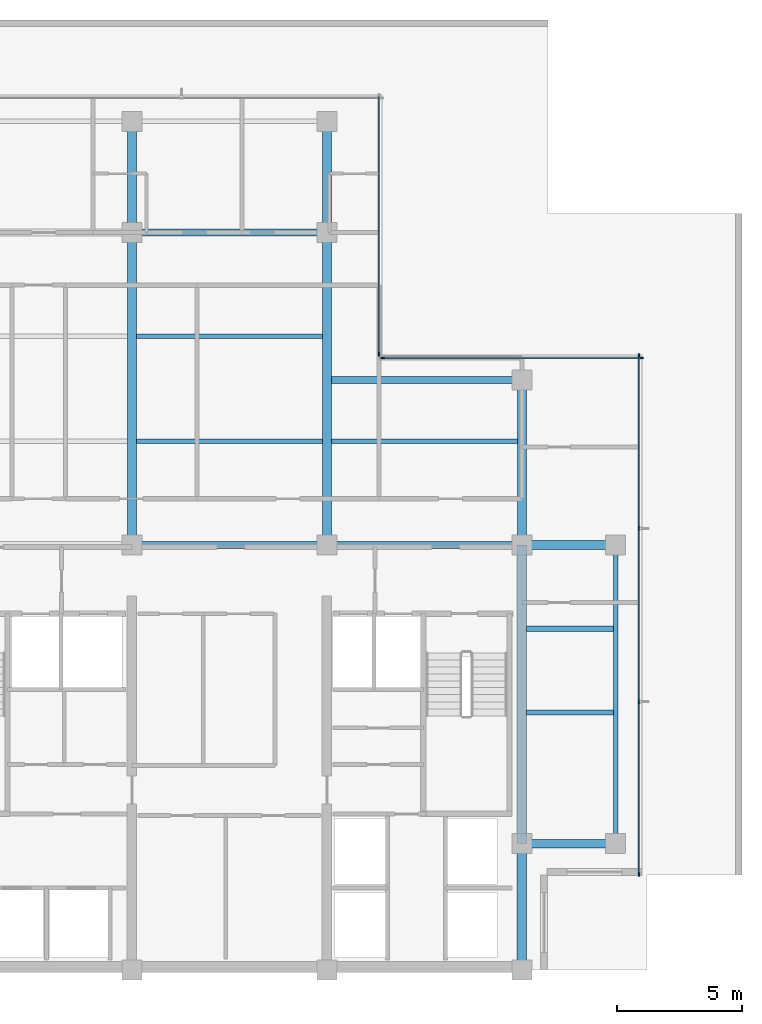
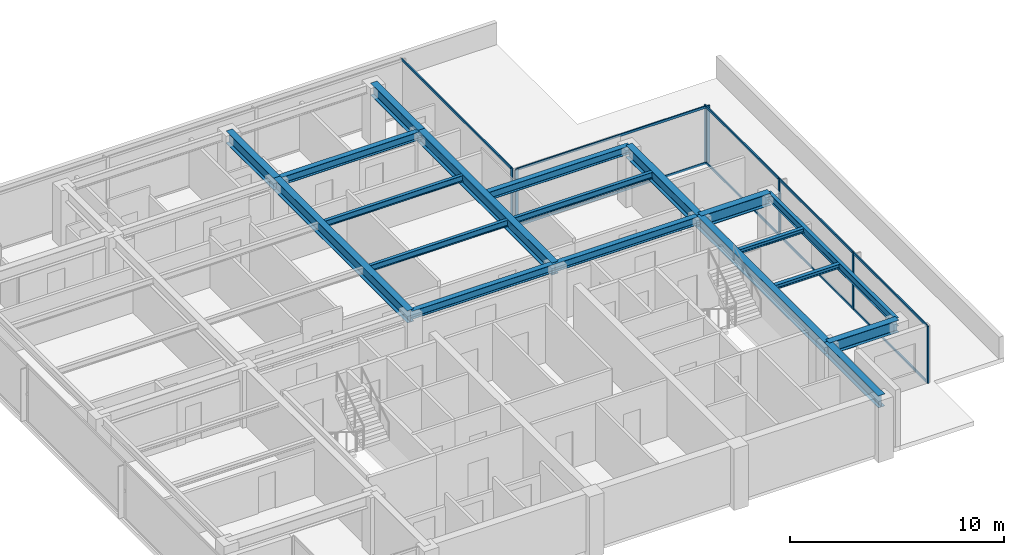
# One storey, part 3 of 11: 19 beams, 17 members, 3 elements without a shape of their own.
"""IFC4 building model written with IfcOpenShell, lengths in metres."""

from ifc_helpers import new_model, si_unit, direction, frame, origin, origin_2d, place, context, subcontext, project, spatial, rectangle, i_section, extrude, material, layer, layer_set, material_profile, profile_set, type_object, element, aggregate, save


model = new_model("IFC4")

# Units and contexts
model_context = context("Model", 3, precision=1e-05, world=origin(), true_north=direction((0.0, 1.0)))
body_context = subcontext(model_context, "Body", "Model", "MODEL_VIEW")
ifc_project = project(units=[si_unit("LENGTHUNIT", "METRE"), si_unit("AREAUNIT", "SQUARE_METRE"), si_unit("VOLUMEUNIT", "CUBIC_METRE"), si_unit("PLANEANGLEUNIT", "RADIAN"), si_unit("MASSUNIT", "GRAM", prefix="KILO")], contexts=[model_context])

# Site, building, storey
site_placement = place(None, origin())
site = spatial("IfcSite", under=ifc_project, at=site_placement, CompositionType="ELEMENT")
building_placement = place(site_placement, origin())
building = spatial("IfcBuilding", under=site, at=building_placement, Name="Qalmaran Belvedere Hotel", CompositionType="ELEMENT")
storey_placement = place(building_placement, frame((0.0, 0.0, 238.89990234375)))
storey = spatial("IfcBuildingStorey", under=building, at=storey_placement, Name="L61", CompositionType="ELEMENT", Elevation=238.89990234375)

# Beams
ifc_material_1 = material(Name="Steel S355JR", Category="steel")
ifc_material_profile_1 = material_profile(ifc_material_1, i_section(OverallWidth=0.201904296875, OverallDepth=0.2470703125, WebThickness=0.00732421875, FlangeThickness=0.010986328125, FilletRadius=0.011962890625, at=origin_2d()), Name="W250X49")
ifc_profile_set_1 = profile_set([ifc_material_profile_1], Name="Steel S355JR")
beam_type_1 = type_object("IfcBeamType", Name="BM-JST-W250X49", PredefinedType="JOIST", material=ifc_profile_set_1)
for number, where, z_axis, x_axis, name in (
    (1, (44.9755859375, 13.800048828125, 3.13671875), (1.0, 0.0, 0.0), (0.0, 1.0, 0.0), "L61 East Wing Joist 032"),
    (2, (44.9755859375, 17.14990234375, 3.13671875), (1.0, 0.0, 0.0), (0.0, 1.0, 0.0), "L61 East Wing Joist 034"),
):
    element("IfcBeam", number, at=place(storey_placement, frame(where, z_axis=z_axis, x_axis=x_axis)), inside=storey, type_object=beam_type_1, Name=name, PredefinedType="JOIST", context=body_context, shape_type="SweptSolid", body=[
        extrude(i_section(OverallWidth=0.201904296875, OverallDepth=0.2470703125, WebThickness=0.00732421875, FlangeThickness=0.010986328125, FilletRadius=0.011962890625, at=origin_2d()), origin(), (0.0, 0.0, 1.0), 3.48046875),
    ])
ifc_material_profile_2 = material_profile(ifc_material_1, i_section(OverallWidth=0.172119140625, OverallDepth=0.35791015625, WebThickness=0.0078125, FlangeThickness=0.01318359375, FilletRadius=0.014892578125, at=origin_2d()), Name="W360X57")
ifc_profile_set_2 = profile_set([ifc_material_profile_2], Name="Steel S355JR")
beam_type_2 = type_object("IfcBeamType", Name="BM-SB4-W360X57", PredefinedType="BEAM", material=ifc_profile_set_2)
for number, where, z_axis, x_axis, name in (
    (3, (29.37548828125, 24.64990234375, 3.0810546875), (1.0, 0.0, 0.0), (0.0, 1.0, 0.0), "L61 Secondary Floor Beam 026"),
    (4, (37.175537109375, 24.64990234375, 3.0810546875), (1.0, 0.0, 0.0), (0.0, 1.0, 0.0), "L61 Secondary Floor Beam 027"),
    (5, (29.37548828125, 28.85009765625, 3.0810546875), (1.0, 0.0, 0.0), (0.0, 1.0, 0.0), "L61 Secondary Floor Beam 030"),
):
    element("IfcBeam", number, at=place(storey_placement, frame(where, z_axis=z_axis, x_axis=x_axis)), inside=storey, type_object=beam_type_2, Name=name, PredefinedType="BEAM", context=body_context, shape_type="SweptSolid", body=[
        extrude(i_section(OverallWidth=0.172119140625, OverallDepth=0.35791015625, WebThickness=0.0078125, FlangeThickness=0.01318359375, FilletRadius=0.014892578125, at=origin_2d()), origin(), (0.0, 0.0, 1.0), 7.448974609375),
    ])
ifc_material_profile_3 = material_profile(ifc_material_1, i_section(OverallWidth=0.19189453125, OverallDepth=0.462890625, WebThickness=0.010498046875, FlangeThickness=0.017578125, FilletRadius=0.01611328125, at=origin_2d()), Name="W460X89")
ifc_profile_set_3 = profile_set([ifc_material_profile_3], Name="Steel S355JR")
beam_type_3 = type_object("IfcBeamType", Name="BM-SP2-W460X89", PredefinedType="SPANDREL", material=ifc_profile_set_3)
beam_1_placement = place(storey_placement, frame((48.550048828125, 8.550048828125, 3.028564453125), z_axis=(0.0, 1.0, 0.0), x_axis=(-1.0, 0.0, 0.0)))
element("IfcBeam", 6, at=beam_1_placement, inside=storey, type_object=beam_type_3, Name="L61 Perimeter Spandrel 03", PredefinedType="SPANDREL", context=body_context, shape_type="SweptSolid", body=[
    extrude(i_section(OverallWidth=0.19189453125, OverallDepth=0.462890625, WebThickness=0.010498046875, FlangeThickness=0.017578125, FilletRadius=0.01611328125, at=origin_2d()), origin(), (0.0, 0.0, 1.0), 11.949951171875),
])
ifc_material_profile_4 = material_profile(ifc_material_1, i_section(OverallWidth=0.35498046875, OverallDepth=0.695068359375, WebThickness=0.015380859375, FlangeThickness=0.02490234375, FilletRadius=0.02197265625, at=origin_2d()), Name="W690X217")
ifc_profile_set_4 = profile_set([ifc_material_profile_4], Name="Steel S355JR")
beam_type_4 = type_object("IfcBeamType", Name="BM-Z1-W690X217", PredefinedType="USERDEFINED", material=ifc_profile_set_4)
beam_2_placement = place(storey_placement, frame((29.199951171875, 20.5, 2.91259765625), z_axis=(0.0, 1.0, 0.0), x_axis=(-1.0, 0.0, 0.0)))
element("IfcBeam", 7, at=beam_2_placement, inside=storey, type_object=beam_type_4, Name="L61 Mid-Plate N-S Girder 13", ObjectType="GIRDER", PredefinedType="USERDEFINED", context=body_context, shape_type="SweptSolid", body=[
    extrude(i_section(OverallWidth=0.35498046875, OverallDepth=0.695068359375, WebThickness=0.015380859375, FlangeThickness=0.02490234375, FilletRadius=0.02197265625, at=origin_2d()), origin(), (0.0, 0.0, 1.0), 12.5),
])
beam_3_placement = place(storey_placement, frame((29.199951171875, 33.0, 2.91259765625), z_axis=(0.0, 1.0, 0.0), x_axis=(-1.0, 0.0, 0.0)))
element("IfcBeam", 8, at=beam_3_placement, inside=storey, type_object=beam_type_4, Name="L61 North Bay Girder 14", ObjectType="GIRDER", PredefinedType="USERDEFINED", context=body_context, shape_type="SweptSolid", body=[
    extrude(i_section(OverallWidth=0.35498046875, OverallDepth=0.695068359375, WebThickness=0.015380859375, FlangeThickness=0.02490234375, FilletRadius=0.02197265625, at=origin_2d()), origin(), (0.0, 0.0, 1.0), 4.449951171875),
])
beam_4_placement = place(storey_placement, frame((37.0, 20.5, 2.91259765625), z_axis=(0.0, 1.0, 0.0), x_axis=(-1.0, 0.0, 0.0)))
element("IfcBeam", 9, at=beam_4_placement, inside=storey, type_object=beam_type_4, Name="L61 Mid-Plate N-S Girder 15", ObjectType="GIRDER", PredefinedType="USERDEFINED", context=body_context, shape_type="SweptSolid", body=[
    extrude(i_section(OverallWidth=0.35498046875, OverallDepth=0.695068359375, WebThickness=0.015380859375, FlangeThickness=0.02490234375, FilletRadius=0.02197265625, at=origin_2d()), origin(), (0.0, 0.0, 1.0), 12.5),
])
beam_5_placement = place(storey_placement, frame((37.0, 33.0, 2.91259765625), z_axis=(0.0, 1.0, 0.0), x_axis=(-1.0, 0.0, 0.0)))
element("IfcBeam", 10, at=beam_5_placement, inside=storey, type_object=beam_type_4, Name="L61 North Bay Girder 16", ObjectType="GIRDER", PredefinedType="USERDEFINED", context=body_context, shape_type="SweptSolid", body=[
    extrude(i_section(OverallWidth=0.35498046875, OverallDepth=0.695068359375, WebThickness=0.015380859375, FlangeThickness=0.02490234375, FilletRadius=0.02197265625, at=origin_2d()), origin(), (0.0, 0.0, 1.0), 4.449951171875),
])
beam_6_placement = place(storey_placement, frame((44.800048828125, 20.5, 2.91259765625), z_axis=(0.0, 1.0, 0.0), x_axis=(-1.0, 0.0, 0.0)))
element("IfcBeam", 11, at=beam_6_placement, inside=storey, type_object=beam_type_4, Name="L61 Mid-Plate N-S Girder 17", ObjectType="GIRDER", PredefinedType="USERDEFINED", context=body_context, shape_type="SweptSolid", body=[
    extrude(i_section(OverallWidth=0.35498046875, OverallDepth=0.695068359375, WebThickness=0.015380859375, FlangeThickness=0.02490234375, FilletRadius=0.02197265625, at=origin_2d()), origin(), (0.0, 0.0, 1.0), 6.60009765625),
])
beam_7_placement = place(storey_placement, frame((44.800048828125, 3.5, 2.91259765625), z_axis=(0.0, 1.0, 0.0), x_axis=(-1.0, 0.0, 0.0)))
element("IfcBeam", 12, at=beam_7_placement, inside=storey, type_object=beam_type_4, Name="L61 East Core Edge Girder A", ObjectType="GIRDER", PredefinedType="USERDEFINED", context=body_context, shape_type="SweptSolid", body=[
    extrude(i_section(OverallWidth=0.35498046875, OverallDepth=0.695068359375, WebThickness=0.015380859375, FlangeThickness=0.02490234375, FilletRadius=0.02197265625, at=origin_2d()), origin(), (0.0, 0.0, 1.0), 5.050048828125),
])
beam_8_placement = place(storey_placement, frame((44.800048828125, 8.550048828125, 2.91259765625), z_axis=(0.0, 1.0, 0.0), x_axis=(-1.0, 0.0, 0.0)))
element("IfcBeam", 13, at=beam_8_placement, inside=storey, type_object=beam_type_4, Name="L61 East Core Edge Girder B", ObjectType="GIRDER", PredefinedType="USERDEFINED", context=body_context, shape_type="SweptSolid", body=[
    extrude(i_section(OverallWidth=0.35498046875, OverallDepth=0.695068359375, WebThickness=0.015380859375, FlangeThickness=0.02490234375, FilletRadius=0.02197265625, at=origin_2d()), origin(), (0.0, 0.0, 1.0), 11.949951171875),
])
for number, where, z_axis, x_axis, name in (
    (14, (44.800048828125, 8.550048828125, 2.91259765625), (1.0, 0.0, 0.0), (0.0, 1.0, 0.0), "L61 East Wing Girder 22"),
    (15, (44.800048828125, 20.5, 2.91259765625), (1.0, 0.0, 0.0), (0.0, 1.0, 0.0), "L61 East Wing Girder 23"),
):
    element("IfcBeam", number, at=place(storey_placement, frame(where, z_axis=z_axis, x_axis=x_axis)), inside=storey, type_object=beam_type_4, Name=name, ObjectType="GIRDER", PredefinedType="USERDEFINED", context=body_context, shape_type="SweptSolid", body=[
        extrude(i_section(OverallWidth=0.35498046875, OverallDepth=0.695068359375, WebThickness=0.015380859375, FlangeThickness=0.02490234375, FilletRadius=0.02197265625, at=origin_2d()), origin(), (0.0, 0.0, 1.0), 3.75),
    ])
ifc_material_profile_5 = material_profile(ifc_material_1, i_section(OverallWidth=0.280029296875, OverallDepth=0.462890625, WebThickness=0.0107421875, FlangeThickness=0.017333984375, FilletRadius=0.01611328125, at=origin_2d()), Name="W460X113")
ifc_profile_set_5 = profile_set([ifc_material_profile_5], Name="Steel S355JR")
beam_type_5 = type_object("IfcBeamType", Name="BM-Z5-W460X113", PredefinedType="USERDEFINED", material=ifc_profile_set_5)
for number, where, z_axis, x_axis, name in (
    (16, (29.199951171875, 20.5, 3.028564453125), (1.0, 0.0, 0.0), (0.0, 1.0, 0.0), "L61 Interior E-W Girder 07"),
    (17, (37.0, 20.5, 3.028564453125), (1.0, 0.0, 0.0), (0.0, 1.0, 0.0), "L61 Interior E-W Girder 08"),
    (18, (29.199951171875, 33.0, 3.028564453125), (1.0, 0.0, 0.0), (0.0, 1.0, 0.0), "L61 Interior E-W Girder 10"),
):
    element("IfcBeam", number, at=place(storey_placement, frame(where, z_axis=z_axis, x_axis=x_axis)), inside=storey, type_object=beam_type_5, Name=name, ObjectType="GIRDER", PredefinedType="USERDEFINED", context=body_context, shape_type="SweptSolid", body=[
        extrude(i_section(OverallWidth=0.280029296875, OverallDepth=0.462890625, WebThickness=0.0107421875, FlangeThickness=0.017333984375, FilletRadius=0.01611328125, at=origin_2d()), origin(), (0.0, 0.0, 1.0), 7.800048828125),
    ])
beam_9_placement = place(storey_placement, frame((37.175537109375, 27.10009765625, 3.028564453125), z_axis=(1.0, 0.0, 0.0), x_axis=(0.0, 1.0, 0.0)))
element("IfcBeam", 19, at=beam_9_placement, inside=storey, type_object=beam_type_5, Name="L61 North-East Notch Rim Girder", ObjectType="GIRDER", PredefinedType="USERDEFINED", context=body_context, shape_type="SweptSolid", body=[
    extrude(i_section(OverallWidth=0.280029296875, OverallDepth=0.462890625, WebThickness=0.0107421875, FlangeThickness=0.017333984375, FilletRadius=0.01611328125, at=origin_2d()), origin(), (0.0, 0.0, 1.0), 7.62451171875),
])

# Curtain wall, members
ifc_material_2 = material(Name="Anodised Bronze Aluminium", Category="aluminium")
ifc_layer = layer(ifc_material_2, 0.18505859375, Name="Anodised Bronze Aluminium")
ifc_layer_set = layer_set([ifc_layer], Name="Anodised Bronze Aluminium")
curtain_wall_type = type_object("IfcCurtainWallType", Name="CW6-TOWER-SKY", PredefinedType="NOTDEFINED", material=ifc_layer_set)
curtain_wall_1_placement = place(storey_placement, origin())
curtain_wall_1 = element("IfcCurtainWall", 20, at=curtain_wall_1_placement, inside=storey, type_object=curtain_wall_type, Name="L61 Curtain Wall CW6", PredefinedType="NOTDEFINED")
ifc_material_profile_6 = material_profile(ifc_material_2, rectangle(XDim=0.06494140625, YDim=0.1650390625, at=origin_2d()), Name="CWM65X165")
ifc_profile_set_6 = profile_set([ifc_material_profile_6], Name="Anodised Bronze Aluminium")
member_type_1 = type_object("IfcMemberType", Name="CWM-65X165", PredefinedType="MULLION", material=ifc_profile_set_6)
member_1_placement = place(storey_placement, frame((49.47998046875, 7.33251953125, 0.0), z_axis=(0.0, 0.0, 1.0), x_axis=(-1.0, 0.0, 0.0)))
member_1 = element("IfcMember", 21, at=member_1_placement, type_object=member_type_1, Name="CW6 mullion 1", PredefinedType="MULLION", context=body_context, shape_type="SweptSolid", body=[
    extrude(rectangle(XDim=0.06494140625, YDim=0.1650390625, at=origin_2d()), origin(), (0.0, 0.0, 1.0), 3.260009765625),
])
member_2_placement = place(storey_placement, frame((49.47998046875, 14.2333984375, 0.0), z_axis=(0.0, 0.0, 1.0), x_axis=(-1.0, 0.0, 0.0)))
member_2 = element("IfcMember", 22, at=member_2_placement, type_object=member_type_1, Name="CW6 mullion 2", PredefinedType="MULLION", context=body_context, shape_type="SweptSolid", body=[
    extrude(rectangle(XDim=0.06494140625, YDim=0.1650390625, at=origin_2d()), origin(), (0.0, 0.0, 1.0), 3.260009765625),
])
member_3_placement = place(storey_placement, frame((49.47998046875, 21.166748046875, 0.0), z_axis=(0.0, 0.0, 1.0), x_axis=(-1.0, 0.0, 0.0)))
member_3 = element("IfcMember", 23, at=member_3_placement, type_object=member_type_1, Name="CW6 mullion 3", PredefinedType="MULLION", context=body_context, shape_type="SweptSolid", body=[
    extrude(rectangle(XDim=0.06494140625, YDim=0.1650390625, at=origin_2d()), origin(), (0.0, 0.0, 1.0), 3.260009765625),
])
member_4_placement = place(storey_placement, frame((49.47998046875, 28.0673828125, 0.0), z_axis=(0.0, 0.0, 1.0), x_axis=(-1.0, 0.0, 0.0)))
member_4 = element("IfcMember", 24, at=member_4_placement, type_object=member_type_1, Name="CW6 mullion 4", PredefinedType="MULLION", context=body_context, shape_type="SweptSolid", body=[
    extrude(rectangle(XDim=0.06494140625, YDim=0.1650390625, at=origin_2d()), origin(), (0.0, 0.0, 1.0), 3.260009765625),
])

curtain_wall_2_placement = place(storey_placement, origin())
curtain_wall_2 = element("IfcCurtainWall", 25, at=curtain_wall_2_placement, inside=storey, type_object=curtain_wall_type, Name="L61 Curtain Wall CW6", PredefinedType="NOTDEFINED")
member_5_placement = place(storey_placement, frame((49.5673828125, 27.97998046875, 0.0), z_axis=(0.0, 0.0, 1.0), x_axis=(0.0, -1.0, 0.0)))
member_5 = element("IfcMember", 26, at=member_5_placement, type_object=member_type_1, Name="CW6 mullion 1", PredefinedType="MULLION", context=body_context, shape_type="SweptSolid", body=[
    extrude(rectangle(XDim=0.06494140625, YDim=0.1650390625, at=origin_2d()), origin(), (0.0, 0.0, 1.0), 3.260009765625),
])
member_6_placement = place(storey_placement, frame((39.232421875, 27.97998046875, 0.0), z_axis=(0.0, 0.0, 1.0), x_axis=(0.0, -1.0, 0.0)))
member_6 = element("IfcMember", 27, at=member_6_placement, type_object=member_type_1, Name="CW6 mullion 2", PredefinedType="MULLION", context=body_context, shape_type="SweptSolid", body=[
    extrude(rectangle(XDim=0.06494140625, YDim=0.1650390625, at=origin_2d()), origin(), (0.0, 0.0, 1.0), 3.260009765625),
])

# Curtain wall, member
curtain_wall_3_placement = place(storey_placement, origin())
curtain_wall_3 = element("IfcCurtainWall", 28, at=curtain_wall_3_placement, inside=storey, type_object=curtain_wall_type, Name="L61 Curtain Wall CW6", PredefinedType="NOTDEFINED")
member_7_placement = place(storey_placement, frame((39.080078125, 28.132568359375, 0.0), z_axis=(0.0, 0.0, 1.0), x_axis=(-1.0, 0.0, 0.0)))
member_7 = element("IfcMember", 29, at=member_7_placement, type_object=member_type_1, Name="CW6 mullion 1", PredefinedType="MULLION", context=body_context, shape_type="SweptSolid", body=[
    extrude(rectangle(XDim=0.06494140625, YDim=0.1650390625, at=origin_2d()), origin(), (0.0, 0.0, 1.0), 3.260009765625),
])

# Member
ifc_material_profile_7 = material_profile(ifc_material_2, rectangle(XDim=0.06494140625, YDim=0.1298828125, at=origin_2d()), Name="CWT65X130")
ifc_profile_set_7 = profile_set([ifc_material_profile_7], Name="Anodised Bronze Aluminium")
member_type_2 = type_object("IfcMemberType", Name="CWT-65X130", PredefinedType="USERDEFINED", material=ifc_profile_set_7)
member_8_placement = place(storey_placement, frame((49.47998046875, 7.364990234375, 0.03271484375), z_axis=(0.0, 1.0, 0.0), x_axis=(-1.0, 0.0, 0.0)))
member_8 = element("IfcMember", 30, at=member_8_placement, type_object=member_type_2, Name="CW6 transom 1.1", ObjectType="TRANSOM", PredefinedType="USERDEFINED", context=body_context, shape_type="SweptSolid", body=[
    extrude(rectangle(XDim=0.06494140625, YDim=0.1298828125, at=origin_2d()), origin(), (0.0, 0.0, 1.0), 6.8359375),
])

member_9_placement = place(storey_placement, frame((49.47998046875, 7.364990234375, 3.2275390625), z_axis=(0.0, 1.0, 0.0), x_axis=(-1.0, 0.0, 0.0)))
member_9 = element("IfcMember", 31, at=member_9_placement, type_object=member_type_2, Name="CW6 transom 1.2", ObjectType="TRANSOM", PredefinedType="USERDEFINED", context=body_context, shape_type="SweptSolid", body=[
    extrude(rectangle(XDim=0.06494140625, YDim=0.1298828125, at=origin_2d()), origin(), (0.0, 0.0, 1.0), 6.8359375),
])

member_10_placement = place(storey_placement, frame((49.47998046875, 14.265869140625, 0.03271484375), z_axis=(0.0, 1.0, 0.0), x_axis=(-1.0, 0.0, 0.0)))
member_10 = element("IfcMember", 32, at=member_10_placement, type_object=member_type_2, Name="CW6 transom 2.1", ObjectType="TRANSOM", PredefinedType="USERDEFINED", context=body_context, shape_type="SweptSolid", body=[
    extrude(rectangle(XDim=0.06494140625, YDim=0.1298828125, at=origin_2d()), origin(), (0.0, 0.0, 1.0), 6.868408203125),
])

member_11_placement = place(storey_placement, frame((49.47998046875, 14.265869140625, 3.2275390625), z_axis=(0.0, 1.0, 0.0), x_axis=(-1.0, 0.0, 0.0)))
member_11 = element("IfcMember", 33, at=member_11_placement, type_object=member_type_2, Name="CW6 transom 2.2", ObjectType="TRANSOM", PredefinedType="USERDEFINED", context=body_context, shape_type="SweptSolid", body=[
    extrude(rectangle(XDim=0.06494140625, YDim=0.1298828125, at=origin_2d()), origin(), (0.0, 0.0, 1.0), 6.868408203125),
])

member_12_placement = place(storey_placement, frame((49.47998046875, 21.19921875, 0.03271484375), z_axis=(0.0, 1.0, 0.0), x_axis=(-1.0, 0.0, 0.0)))
member_12 = element("IfcMember", 34, at=member_12_placement, type_object=member_type_2, Name="CW6 transom 3.1", ObjectType="TRANSOM", PredefinedType="USERDEFINED", context=body_context, shape_type="SweptSolid", body=[
    extrude(rectangle(XDim=0.06494140625, YDim=0.1298828125, at=origin_2d()), origin(), (0.0, 0.0, 1.0), 6.835693359375),
])

member_13_placement = place(storey_placement, frame((49.47998046875, 21.19921875, 3.2275390625), z_axis=(0.0, 1.0, 0.0), x_axis=(-1.0, 0.0, 0.0)))
member_13 = element("IfcMember", 35, at=member_13_placement, type_object=member_type_2, Name="CW6 transom 3.2", ObjectType="TRANSOM", PredefinedType="USERDEFINED", context=body_context, shape_type="SweptSolid", body=[
    extrude(rectangle(XDim=0.06494140625, YDim=0.1298828125, at=origin_2d()), origin(), (0.0, 0.0, 1.0), 6.835693359375),
])

aggregate(curtain_wall_1, [member_1, member_2, member_3, member_4, member_8, member_9, member_10, member_11, member_12, member_13])

member_14_placement = place(storey_placement, frame((49.534912109375, 27.97998046875, 0.03271484375), z_axis=(-1.0, 0.0, 0.0), x_axis=(0.0, -1.0, 0.0)))
member_14 = element("IfcMember", 36, at=member_14_placement, type_object=member_type_2, Name="CW6 transom 1.1", ObjectType="TRANSOM", PredefinedType="USERDEFINED", context=body_context, shape_type="SweptSolid", body=[
    extrude(rectangle(XDim=0.06494140625, YDim=0.1298828125, at=origin_2d()), origin(), (0.0, 0.0, 1.0), 10.27001953125),
])

member_15_placement = place(storey_placement, frame((49.534912109375, 27.97998046875, 3.2275390625), z_axis=(-1.0, 0.0, 0.0), x_axis=(0.0, -1.0, 0.0)))
member_15 = element("IfcMember", 37, at=member_15_placement, type_object=member_type_2, Name="CW6 transom 1.2", ObjectType="TRANSOM", PredefinedType="USERDEFINED", context=body_context, shape_type="SweptSolid", body=[
    extrude(rectangle(XDim=0.06494140625, YDim=0.1298828125, at=origin_2d()), origin(), (0.0, 0.0, 1.0), 10.27001953125),
])

aggregate(curtain_wall_2, [member_5, member_6, member_14, member_15])

member_16_placement = place(storey_placement, frame((39.080078125, 28.1650390625, 0.03271484375), z_axis=(0.0, 1.0, 0.0), x_axis=(-1.0, 0.0, 0.0)))
member_16 = element("IfcMember", 38, at=member_16_placement, type_object=member_type_2, Name="CW6 transom 1.1", ObjectType="TRANSOM", PredefinedType="USERDEFINED", context=body_context, shape_type="SweptSolid", body=[
    extrude(rectangle(XDim=0.06494140625, YDim=0.1298828125, at=origin_2d()), origin(), (0.0, 0.0, 1.0), 10.27001953125),
])

member_17_placement = place(storey_placement, frame((39.080078125, 28.1650390625, 3.2275390625), z_axis=(0.0, 1.0, 0.0), x_axis=(-1.0, 0.0, 0.0)))
member_17 = element("IfcMember", 39, at=member_17_placement, type_object=member_type_2, Name="CW6 transom 1.2", ObjectType="TRANSOM", PredefinedType="USERDEFINED", context=body_context, shape_type="SweptSolid", body=[
    extrude(rectangle(XDim=0.06494140625, YDim=0.1298828125, at=origin_2d()), origin(), (0.0, 0.0, 1.0), 10.27001953125),
])

aggregate(curtain_wall_3, [member_7, member_16, member_17])

save(model, "model.ifc")
